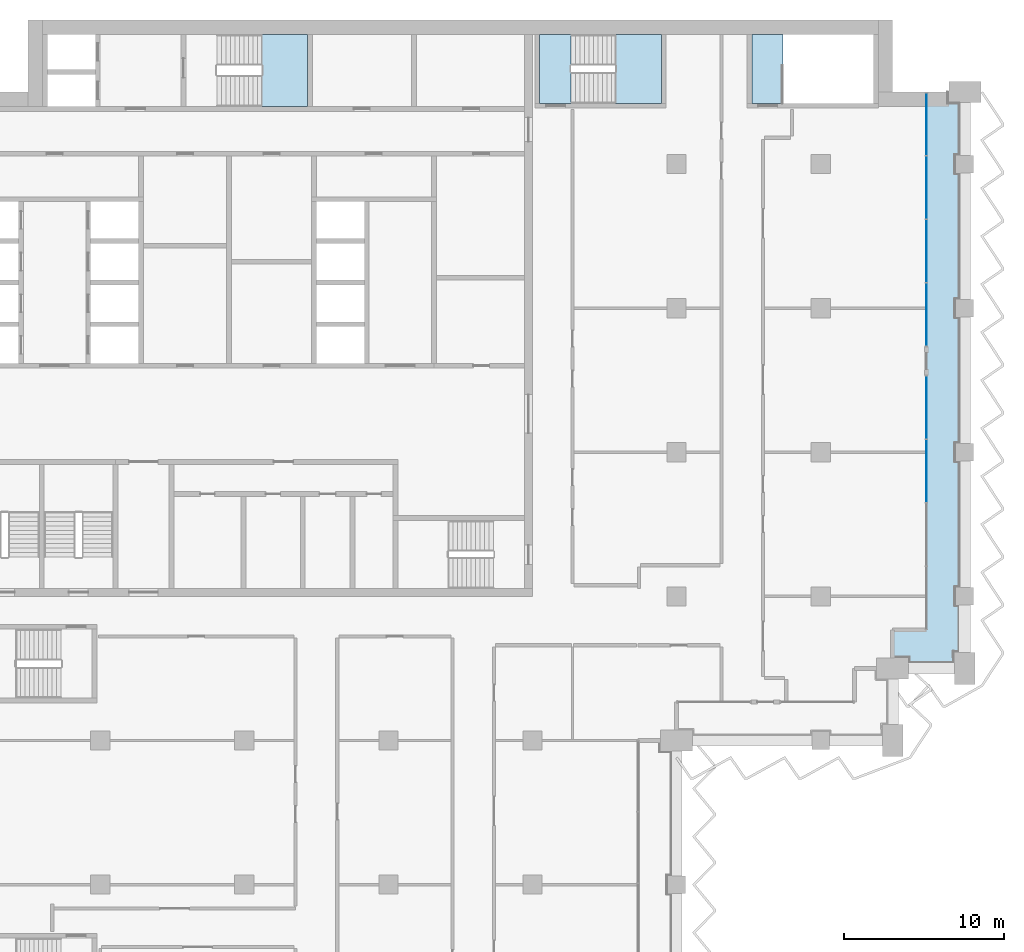
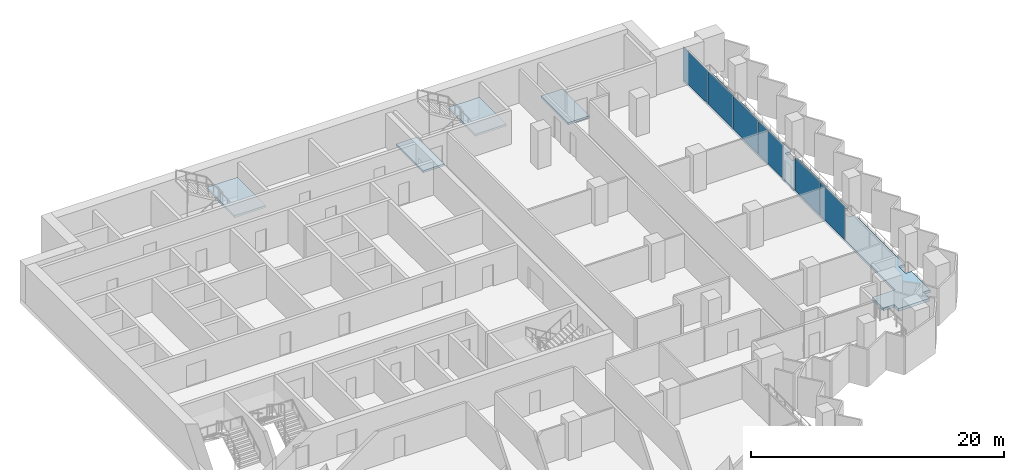
# One storey, part 9 of 22: 6 plates, 5 slabs, 4 elements without a shape of their own.
"""IFC4 building model written with IfcOpenShell, lengths in metres."""

import ifcopenshell
import ifcopenshell.guid

model = None  # the IFC model being written
_history = None  # IfcOwnerHistory: only IFC2X3 demands one
_inside = {}  # id of a spatial element -> (the spatial element, [elements in it])
_under = {}  # id of a project, library or spatial element -> (it, [spatial elements below it])
_declared = {}  # id of a project -> (the project, [libraries it declares])
_typed = {}  # id of a type object -> (the type object, [elements of that type])
_made_of = {}  # id of a material, layer set ... -> (it, [elements and type objects made of it])


def new_model(schema):
    """Start an empty IFC model of exactly this schema.

    Asked for "IFC4X3", IfcOpenShell would pick the latest addendum, in which some entities
    have other attributes; the version numbers below select the first issue.
    IFC2X3 requires an IfcOwnerHistory on every rooted entity: one is made here for all.
    """
    global model, _history
    if schema == "IFC4X3":
        model = ifcopenshell.file(schema_version=(4, 3, 0, 0))
    else:
        model = ifcopenshell.file(schema=schema)
    _inside.clear()
    _under.clear()
    _declared.clear()
    _typed.clear()
    _made_of.clear()
    _history = None
    if model.schema == "IFC2X3":
        org = make("IfcOrganization", Name="unknown")
        user = make(
            "IfcPersonAndOrganization",
            ThePerson=make("IfcPerson", FamilyName="unknown"),
            TheOrganization=org,
        )
        app = make(
            "IfcApplication",
            ApplicationDeveloper=org,
            Version="unknown",
            ApplicationFullName="unknown",
            ApplicationIdentifier="unknown",
        )
        _history = make(
            "IfcOwnerHistory",
            OwningUser=user,
            OwningApplication=app,
            ChangeAction="ADDED",
            CreationDate=0,
        )
    return model


def make(cls, **values):
    """One entity of the class cls with the attributes given. An attribute that is None is left unset."""
    return model.create_entity(
        cls, **{name: value for name, value in values.items() if value is not None}
    )


def rooted(cls, **values):
    """An entity with a GlobalId (a new one), such as an element, a storey or a relation."""
    return make(cls, GlobalId=ifcopenshell.guid.new(), OwnerHistory=_history, **values)


def si_unit(unit_type, name, prefix=None):
    """IfcSIUnit, for example si_unit("LENGTHUNIT", "METRE", prefix="MILLI")."""
    return make("IfcSIUnit", UnitType=unit_type, Prefix=prefix, Name=name)


def assignment(units):
    """IfcUnitAssignment: the units of a project."""
    return None if units is None else make("IfcUnitAssignment", Units=units)


def point(xyz):
    """IfcCartesianPoint."""
    return None if xyz is None else make("IfcCartesianPoint", Coordinates=xyz)


def direction(xyz):
    """IfcDirection."""
    return None if xyz is None else make("IfcDirection", DirectionRatios=xyz)


def frame(location, z_axis=None, x_axis=None):
    """IfcAxis2Placement3D, a coordinate frame: its origin and axes. An axis left out is left unset."""
    return make(
        "IfcAxis2Placement3D",
        Location=point(location),
        Axis=direction(z_axis),
        RefDirection=direction(x_axis),
    )


def frame_2d(location, x_axis=None):
    """IfcAxis2Placement2D, a coordinate frame in the plane: its origin and x axis."""
    return make(
        "IfcAxis2Placement2D", Location=point(location), RefDirection=direction(x_axis)
    )


def origin():
    """The frame at (0, 0, 0) with its axes left unset."""
    return frame((0.0, 0.0, 0.0))


def origin_2d():
    """The frame at (0, 0) in the plane with its x axis left unset."""
    return frame_2d((0.0, 0.0))


def place(relative_to, where):
    """IfcLocalPlacement: puts the frame where relative to a parent placement (None: the world)."""
    return make(
        "IfcLocalPlacement", PlacementRelTo=relative_to, RelativePlacement=where
    )


def context(
    kind, dimensions, precision=None, world=None, true_north=None, identifier=None
):
    """IfcGeometricRepresentationContext, for example the 3D "Model" context."""
    return make(
        "IfcGeometricRepresentationContext",
        ContextIdentifier=identifier,
        ContextType=kind,
        CoordinateSpaceDimension=dimensions,
        Precision=precision,
        WorldCoordinateSystem=world,
        TrueNorth=true_north,
    )


def subcontext(parent, identifier, kind, view, scale=None):
    """IfcGeometricRepresentationSubContext, for example "Body" below "Model"."""
    return make(
        "IfcGeometricRepresentationSubContext",
        ContextIdentifier=identifier,
        ContextType=kind,
        ParentContext=parent,
        TargetScale=scale,
        TargetView=view,
    )


def project(units=None, contexts=None):
    """IfcProject with its units and contexts."""
    return rooted(
        "IfcProject",
        Name="project",
        RepresentationContexts=contexts,
        UnitsInContext=assignment(units),
    )


def spatial(cls, under=None, at=None, **own):
    """A site, building, storey or space (cls), placed at a placement, below another one or the project."""
    s = rooted(cls, ObjectPlacement=at, **own)
    if under is not None:
        _under.setdefault(under.id(), (under, []))[1].append(s)
    return s


def polyline(points):
    """IfcPolyline through the points."""
    return make("IfcPolyline", Points=[point(p) for p in points])


def profile(cls, at=None, kind="AREA", **sizes):
    """A parametric profile (cls). Its sizes go by their IFC names, for example OverallWidth=200.0."""
    return make(cls, ProfileType=kind, Position=at, **sizes)


def rectangle(**sizes):
    """IfcRectangleProfileDef."""
    return profile("IfcRectangleProfileDef", **sizes)


def outline(outer, holes=None, kind="AREA"):
    """IfcArbitraryClosedProfileDef: a profile drawn as a closed curve; with holes, ...WithVoids."""
    if holes is None:
        return make("IfcArbitraryClosedProfileDef", ProfileType=kind, OuterCurve=outer)
    return make(
        "IfcArbitraryProfileDefWithVoids",
        ProfileType=kind,
        OuterCurve=outer,
        InnerCurves=holes,
    )


def extrude(swept, where, along, depth):
    """IfcExtrudedAreaSolid: the profile swept, set in the frame where, extruded along a direction by depth."""
    return make(
        "IfcExtrudedAreaSolid",
        SweptArea=swept,
        Position=where,
        ExtrudedDirection=direction(along),
        Depth=depth,
    )


def shape(context_of_items, identifier, shape_type, items):
    """IfcShapeRepresentation: the items that make up one representation, for example the "Body"."""
    return make(
        "IfcShapeRepresentation",
        ContextOfItems=context_of_items,
        RepresentationIdentifier=identifier,
        RepresentationType=shape_type,
        Items=items,
    )


def material(Name=None, Category=None):
    """IfcMaterial."""
    return make("IfcMaterial", Name=Name, Category=Category)


def layer(
    of_material, thickness, ventilated=None, Name=None, Category=None, Priority=None
):
    """IfcMaterialLayer: one layer of a wall or slab, of a material (None: an air gap)."""
    return make(
        "IfcMaterialLayer",
        Material=of_material,
        LayerThickness=thickness,
        IsVentilated=ventilated,
        Name=Name,
        Category=Category,
        Priority=Priority,
    )


def layer_set(layers, Name=None):
    """IfcMaterialLayerSet."""
    return make("IfcMaterialLayerSet", MaterialLayers=layers, LayerSetName=Name)


def made_of(thing, what):
    """Note that an element or type object is made of a material, layer set ...; save() writes the relation."""
    if what is not None:
        _made_of.setdefault(what.id(), (what, []))[1].append(thing)
    return thing


def type_object(cls, material=None, **own):
    """A type object (cls), such as IfcWallType, which elements share."""
    return made_of(rooted(cls, **own), material)


def element(
    cls,
    number,
    at=None,
    inside=None,
    cuts=None,
    type_object=None,
    material=None,
    context=None,
    identifier="Body",
    shape_type=None,
    held_by="IfcProductDefinitionShape",
    body=None,
    shapes=None,
    **own,
):
    """One element of the class cls, such as IfcWall. Its Tag is "e" and its number.

    at: its placement. inside: the storey or other place that contains it. cuts: it is an
    opening in that element (IfcRelVoidsElement). A single representation is given by context,
    identifier, shape_type and body (its items); several are given by shapes. held_by: the class
    of the entity that holds the representations. save() writes the other relations.
    """
    e = rooted(cls, Tag="e%d" % number, ObjectPlacement=at, **own)
    if body is not None:
        shapes = [shape(context, identifier, shape_type, body)]
    if shapes is not None:
        e.Representation = make(held_by, Representations=shapes)
    if inside is not None:
        _inside.setdefault(inside.id(), (inside, []))[1].append(e)
    if cuts is not None:
        rooted(
            "IfcRelVoidsElement", RelatingBuildingElement=cuts, RelatedOpeningElement=e
        )
    if type_object is not None:
        _typed.setdefault(type_object.id(), (type_object, []))[1].append(e)
    return made_of(e, material)


def aggregate(whole, parts):
    """IfcRelAggregates: a whole, such as a stair, and the parts it consists of."""
    return rooted("IfcRelAggregates", RelatingObject=whole, RelatedObjects=parts)


def save(model, path):
    """Write the relations noted so far, then the file.

    IfcRelAggregates (storeys below a building ...), IfcRelContainedInSpatialStructure (elements
    in a storey), IfcRelDefinesByType, IfcRelAssociatesMaterial and IfcRelDeclares: one each for
    every whole, place, type object, material and project.
    """
    for whole, parts in _under.values():
        aggregate(whole, parts)
    for where, things in _inside.values():
        rooted(
            "IfcRelContainedInSpatialStructure",
            RelatedElements=things,
            RelatingStructure=where,
        )
    for kind, things in _typed.values():
        rooted("IfcRelDefinesByType", RelatedObjects=things, RelatingType=kind)
    for what, things in _made_of.values():
        rooted("IfcRelAssociatesMaterial", RelatedObjects=things, RelatingMaterial=what)
    for by, libraries in _declared.values():
        rooted("IfcRelDeclares", RelatingContext=by, RelatedDefinitions=libraries)
    model.write(path)


model = new_model("IFC4")

# Units and contexts
model_context = context("Model", 3, precision=1e-05, world=origin(), true_north=direction((0.0, 1.0)))
body_context = subcontext(model_context, "Body", "Model", "MODEL_VIEW")
ifc_project = project(units=[si_unit("LENGTHUNIT", "METRE"), si_unit("AREAUNIT", "SQUARE_METRE"), si_unit("VOLUMEUNIT", "CUBIC_METRE"), si_unit("PLANEANGLEUNIT", "RADIAN"), si_unit("MASSUNIT", "GRAM", prefix="KILO")], contexts=[model_context])

# Site, building, storey
site_placement = place(None, origin())
site = spatial("IfcSite", under=ifc_project, at=site_placement, CompositionType="ELEMENT")
building_placement = place(site_placement, origin())
building = spatial("IfcBuilding", under=site, at=building_placement, Name="Hunhe Ridgeline Campus", CompositionType="ELEMENT")
storey_placement = place(building_placement, frame((0.0, 0.0, 174.5)))
storey = spatial("IfcBuildingStorey", under=building, at=storey_placement, Name="L44", CompositionType="ELEMENT", Elevation=174.5)

# Curtain wall, plates
ifc_material_1 = material(Name="Aluminium 6063", Category="aluminium")
curtain_wall_type = type_object("IfcCurtainWallType", Name="Curtain wall CW-1", PredefinedType="NOTDEFINED", material=ifc_material_1)
curtain_wall_1_placement = place(storey_placement, origin())
curtain_wall_1 = element("IfcCurtainWall", 1, at=curtain_wall_1_placement, inside=storey, type_object=curtain_wall_type, Name="Curtain wall 14", PredefinedType="NOTDEFINED")
ifc_material_2 = material(Name="Low-e laminated glass", Category="glass")
ifc_layer_1 = layer(ifc_material_2, 0.028076171875)
ifc_layer_set_1 = layer_set([ifc_layer_1], Name="Curtain wall glass panel 28 low-e laminated")
plate_type = type_object("IfcPlateType", Name="Curtain wall glass panel 28 low-e laminated", PredefinedType="CURTAIN_PANEL", material=ifc_layer_set_1)
plate_1_placement = place(storey_placement, frame((60.59912109375, 70.838134765625, 0.0), z_axis=(0.0, 0.0, 1.0), x_axis=(0.0, 1.0, 0.0)))
plate_1 = element("IfcPlate", 2, at=plate_1_placement, type_object=plate_type, Name="CW-1 panel 3", PredefinedType="CURTAIN_PANEL", context=body_context, shape_type="SweptSolid", body=[
    extrude(rectangle(XDim=3.914794921875, YDim=0.028076171875, at=origin_2d()), origin(), (0.0, 0.0, 1.0), 3.18994140625),
])
plate_2_placement = place(storey_placement, frame((60.59912109375, 74.798095703125, 0.0), z_axis=(0.0, 0.0, 1.0), x_axis=(0.0, 1.0, 0.0)))
plate_2 = element("IfcPlate", 3, at=plate_2_placement, type_object=plate_type, Name="CW-1 panel 4", PredefinedType="CURTAIN_PANEL", context=body_context, shape_type="SweptSolid", body=[
    extrude(rectangle(XDim=3.884765625, YDim=0.028076171875, at=origin_2d()), origin(), (0.0, 0.0, 1.0), 3.18994140625),
])
aggregate(curtain_wall_1, [plate_1, plate_2])

curtain_wall_2_placement = place(storey_placement, origin())
curtain_wall_2 = element("IfcCurtainWall", 4, at=curtain_wall_2_placement, inside=storey, type_object=curtain_wall_type, Name="Curtain wall 15", PredefinedType="NOTDEFINED")
plate_3_placement = place(storey_placement, frame((60.59912109375, 80.60302734375, 0.0), z_axis=(0.0, 0.0, 1.0), x_axis=(0.0, 1.0, 0.0)))
plate_3 = element("IfcPlate", 5, at=plate_3_placement, type_object=plate_type, Name="CW-1 panel 1", PredefinedType="CURTAIN_PANEL", context=body_context, shape_type="SweptSolid", body=[
    extrude(rectangle(XDim=3.884765625, YDim=0.028076171875, at=origin_2d()), origin(), (0.0, 0.0, 1.0), 3.18994140625),
])
plate_4_placement = place(storey_placement, frame((60.59912109375, 84.562744140625, 0.0), z_axis=(0.0, 0.0, 1.0), x_axis=(0.0, 1.0, 0.0)))
plate_4 = element("IfcPlate", 6, at=plate_4_placement, type_object=plate_type, Name="CW-1 panel 2", PredefinedType="CURTAIN_PANEL", context=body_context, shape_type="SweptSolid", body=[
    extrude(rectangle(XDim=3.914794921875, YDim=0.028076171875, at=origin_2d()), origin(), (0.0, 0.0, 1.0), 3.18994140625),
])
plate_5_placement = place(storey_placement, frame((60.59912109375, 88.53759765625, 0.0), z_axis=(0.0, 0.0, 1.0), x_axis=(0.0, 1.0, 0.0)))
plate_5 = element("IfcPlate", 7, at=plate_5_placement, type_object=plate_type, Name="CW-1 panel 3", PredefinedType="CURTAIN_PANEL", context=body_context, shape_type="SweptSolid", body=[
    extrude(rectangle(XDim=3.914794921875, YDim=0.028076171875, at=origin_2d()), origin(), (0.0, 0.0, 1.0), 3.18994140625),
])
plate_6_placement = place(storey_placement, frame((60.59912109375, 92.49755859375, 0.0), z_axis=(0.0, 0.0, 1.0), x_axis=(0.0, 1.0, 0.0)))
plate_6 = element("IfcPlate", 8, at=plate_6_placement, type_object=plate_type, Name="CW-1 panel 4", PredefinedType="CURTAIN_PANEL", context=body_context, shape_type="SweptSolid", body=[
    extrude(rectangle(XDim=3.884765625, YDim=0.028076171875, at=origin_2d()), origin(), (0.0, 0.0, 1.0), 3.18994140625),
])
aggregate(curtain_wall_2, [plate_3, plate_4, plate_5, plate_6])

# Slab
ifc_material_3 = material(Name="Concrete C40", Category="concrete")
ifc_layer_2 = layer(ifc_material_3, 0.25)
ifc_layer_set_2 = layer_set([ifc_layer_2], Name="Loggia slab 250 Concrete C40")
slab_type_1 = type_object("IfcSlabType", Name="Loggia slab 250 Concrete C40", PredefinedType="FLOOR", material=ifc_layer_set_2)
slab_1_placement = place(storey_placement, frame((0.0, 0.0, -0.25)))
element("IfcSlab", 9, at=slab_1_placement, inside=storey, type_object=slab_type_1, Name="Loggia slab 3", PredefinedType="FLOOR", context=body_context, shape_type="SweptSolid", body=[
    extrude(outline(polyline([(58.5, 59.14990234375), (59.5, 59.14990234375), (59.5, 58.5), (62.35009765625, 58.5), (62.35009765625, 59.5), (63.0, 59.5), (63.0, 62.449951171875), (62.449951171875, 62.449951171875), (62.449951171875, 63.550048828125), (63.0, 63.550048828125), (63.0, 71.449951171875), (62.449951171875, 71.449951171875), (62.449951171875, 72.550048828125), (63.0, 72.550048828125), (63.0, 80.449951171875), (62.449951171875, 80.449951171875), (62.449951171875, 81.550048828125), (63.0, 81.550048828125), (63.0, 89.449951171875), (62.449951171875, 89.449951171875), (62.449951171875, 90.550048828125), (63.0, 90.550048828125), (63.0, 93.85009765625), (62.0, 93.85009765625), (62.0, 94.5), (60.60009765625, 94.5), (60.60009765625, 60.89990234375), (58.5, 60.89990234375), (58.5, 59.14990234375)])), origin(), (0.0, 0.0, 1.0), 0.25),
])

# Stair, slab
stair_type = type_object("IfcStairType", Name="Reinforced concrete dog-leg stair 1950 Concrete C40", PredefinedType="HALF_TURN_STAIR", material=ifc_material_3)
stair_1_placement = place(storey_placement, origin())
stair_1 = element("IfcStair", 10, at=stair_1_placement, inside=storey, type_object=stair_type, Name="L44 S1", PredefinedType="HALF_TURN_STAIR")
ifc_layer_3 = layer(ifc_material_3, 0.199951171875)
ifc_layer_set_3 = layer_set([ifc_layer_3], Name="Reinforced concrete stair landing 200 Concrete C40")
slab_type_2 = type_object("IfcSlabType", Name="Reinforced concrete stair landing 200 Concrete C40", PredefinedType="LANDING", material=ifc_layer_set_3)
slab_2_placement = place(storey_placement, frame((0.0, 0.0, 1.64990234375)))
slab_2 = element("IfcSlab", 11, at=slab_2_placement, type_object=slab_type_2, Name="ST1 landing 1", PredefinedType="LANDING", context=body_context, shape_type="SweptSolid", body=[
    extrude(outline(polyline([(19.10009765625, 93.60009765625), (21.949951171875, 93.60009765625), (21.949951171875, 98.10009765625), (19.10009765625, 98.10009765625), (19.10009765625, 93.60009765625)])), origin(), (0.0, 0.0, 1.0), 0.2001953125),
])
aggregate(stair_1, [slab_2])

stair_2_placement = place(storey_placement, origin())
stair_2 = element("IfcStair", 12, at=stair_2_placement, inside=storey, type_object=stair_type, Name="L44 E1", PredefinedType="HALF_TURN_STAIR")
slab_3_placement = place(storey_placement, frame((0.0, 0.0, 1.64990234375)))
slab_3 = element("IfcSlab", 13, at=slab_3_placement, type_object=slab_type_2, Name="ST5 landing 1", PredefinedType="LANDING", context=body_context, shape_type="SweptSolid", body=[
    extrude(outline(polyline([(41.199951171875, 93.800048828125), (44.050048828125, 93.800048828125), (44.050048828125, 98.10009765625), (41.199951171875, 98.10009765625), (41.199951171875, 93.800048828125)])), origin(), (0.0, 0.0, 1.0), 0.2001953125),
])
aggregate(stair_2, [slab_3])

# Slabs
slab_4_placement = place(storey_placement, frame((0.0, 0.0, -0.199951171875)))
element("IfcSlab", 14, at=slab_4_placement, inside=storey, type_object=slab_type_2, Name="L44 stair E1 floor landing", PredefinedType="LANDING", context=body_context, shape_type="SweptSolid", body=[
    extrude(outline(polyline([(36.449951171875, 93.800048828125), (38.39990234375, 93.800048828125), (38.39990234375, 98.10009765625), (36.449951171875, 98.10009765625), (36.449951171875, 93.800048828125)])), origin(), (0.0, 0.0, 1.0), 0.199951171875),
])
slab_5_placement = place(storey_placement, frame((0.0, 0.0, -0.199951171875)))
element("IfcSlab", 15, at=slab_5_placement, inside=storey, type_object=slab_type_2, Name="L44 stair E2 floor landing", PredefinedType="LANDING", context=body_context, shape_type="SweptSolid", body=[
    extrude(outline(polyline([(49.699951171875, 93.800048828125), (51.64990234375, 93.800048828125), (51.64990234375, 98.10009765625), (49.699951171875, 98.10009765625), (49.699951171875, 93.800048828125)])), origin(), (0.0, 0.0, 1.0), 0.199951171875),
])

save(model, "model.ifc")
